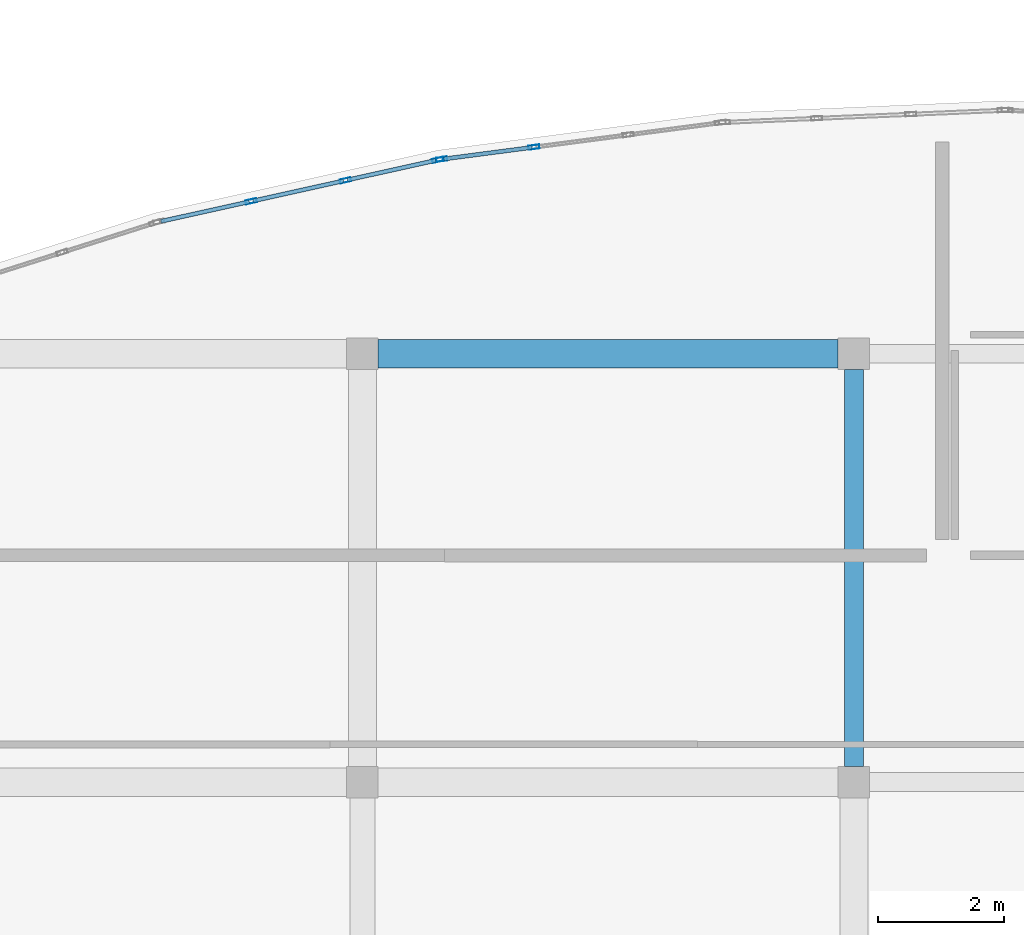
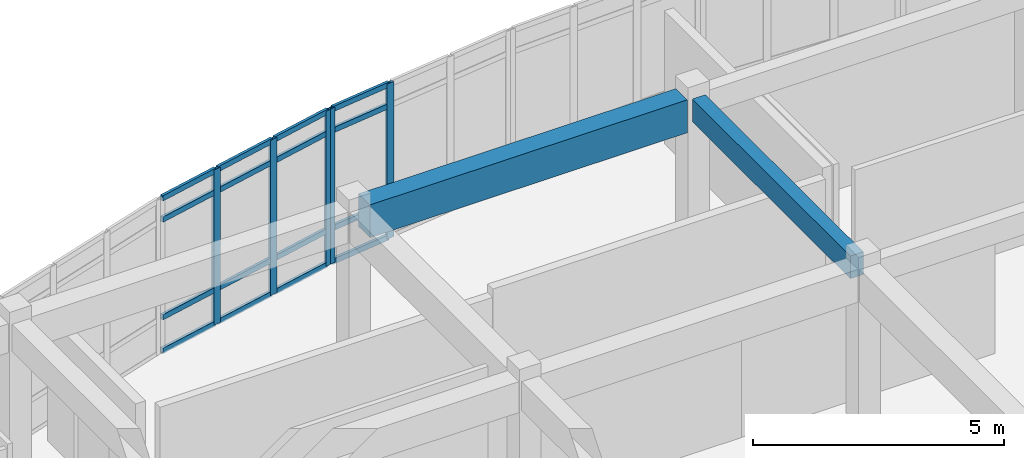
# One storey, part 23 of 52: 21 members, 2 beams, 2 elements without a shape of their own.
"""IFC4 building model written with IfcOpenShell, lengths in metres."""

import ifcopenshell
import ifcopenshell.guid

model = None  # the IFC model being written
_history = None  # IfcOwnerHistory: only IFC2X3 demands one
_inside = {}  # id of a spatial element -> (the spatial element, [elements in it])
_under = {}  # id of a project, library or spatial element -> (it, [spatial elements below it])
_declared = {}  # id of a project -> (the project, [libraries it declares])
_typed = {}  # id of a type object -> (the type object, [elements of that type])
_made_of = {}  # id of a material, layer set ... -> (it, [elements and type objects made of it])


def new_model(schema):
    """Start an empty IFC model of exactly this schema.

    Asked for "IFC4X3", IfcOpenShell would pick the latest addendum, in which some entities
    have other attributes; the version numbers below select the first issue.
    IFC2X3 requires an IfcOwnerHistory on every rooted entity: one is made here for all.
    """
    global model, _history
    if schema == "IFC4X3":
        model = ifcopenshell.file(schema_version=(4, 3, 0, 0))
    else:
        model = ifcopenshell.file(schema=schema)
    _inside.clear()
    _under.clear()
    _declared.clear()
    _typed.clear()
    _made_of.clear()
    _history = None
    if model.schema == "IFC2X3":
        org = make("IfcOrganization", Name="unknown")
        user = make(
            "IfcPersonAndOrganization",
            ThePerson=make("IfcPerson", FamilyName="unknown"),
            TheOrganization=org,
        )
        app = make(
            "IfcApplication",
            ApplicationDeveloper=org,
            Version="unknown",
            ApplicationFullName="unknown",
            ApplicationIdentifier="unknown",
        )
        _history = make(
            "IfcOwnerHistory",
            OwningUser=user,
            OwningApplication=app,
            ChangeAction="ADDED",
            CreationDate=0,
        )
    return model


def make(cls, **values):
    """One entity of the class cls with the attributes given. An attribute that is None is left unset."""
    return model.create_entity(
        cls, **{name: value for name, value in values.items() if value is not None}
    )


def rooted(cls, **values):
    """An entity with a GlobalId (a new one), such as an element, a storey or a relation."""
    return make(cls, GlobalId=ifcopenshell.guid.new(), OwnerHistory=_history, **values)


def si_unit(unit_type, name, prefix=None):
    """IfcSIUnit, for example si_unit("LENGTHUNIT", "METRE", prefix="MILLI")."""
    return make("IfcSIUnit", UnitType=unit_type, Prefix=prefix, Name=name)


def assignment(units):
    """IfcUnitAssignment: the units of a project."""
    return None if units is None else make("IfcUnitAssignment", Units=units)


def point(xyz):
    """IfcCartesianPoint."""
    return None if xyz is None else make("IfcCartesianPoint", Coordinates=xyz)


def direction(xyz):
    """IfcDirection."""
    return None if xyz is None else make("IfcDirection", DirectionRatios=xyz)


def frame(location, z_axis=None, x_axis=None):
    """IfcAxis2Placement3D, a coordinate frame: its origin and axes. An axis left out is left unset."""
    return make(
        "IfcAxis2Placement3D",
        Location=point(location),
        Axis=direction(z_axis),
        RefDirection=direction(x_axis),
    )


def frame_2d(location, x_axis=None):
    """IfcAxis2Placement2D, a coordinate frame in the plane: its origin and x axis."""
    return make(
        "IfcAxis2Placement2D", Location=point(location), RefDirection=direction(x_axis)
    )


def origin():
    """The frame at (0, 0, 0) with its axes left unset."""
    return frame((0.0, 0.0, 0.0))


def origin_2d():
    """The frame at (0, 0) in the plane with its x axis left unset."""
    return frame_2d((0.0, 0.0))


def place(relative_to, where):
    """IfcLocalPlacement: puts the frame where relative to a parent placement (None: the world)."""
    return make(
        "IfcLocalPlacement", PlacementRelTo=relative_to, RelativePlacement=where
    )


def context(
    kind, dimensions, precision=None, world=None, true_north=None, identifier=None
):
    """IfcGeometricRepresentationContext, for example the 3D "Model" context."""
    return make(
        "IfcGeometricRepresentationContext",
        ContextIdentifier=identifier,
        ContextType=kind,
        CoordinateSpaceDimension=dimensions,
        Precision=precision,
        WorldCoordinateSystem=world,
        TrueNorth=true_north,
    )


def subcontext(parent, identifier, kind, view, scale=None):
    """IfcGeometricRepresentationSubContext, for example "Body" below "Model"."""
    return make(
        "IfcGeometricRepresentationSubContext",
        ContextIdentifier=identifier,
        ContextType=kind,
        ParentContext=parent,
        TargetScale=scale,
        TargetView=view,
    )


def project(units=None, contexts=None):
    """IfcProject with its units and contexts."""
    return rooted(
        "IfcProject",
        Name="project",
        RepresentationContexts=contexts,
        UnitsInContext=assignment(units),
    )


def spatial(cls, under=None, at=None, **own):
    """A site, building, storey or space (cls), placed at a placement, below another one or the project."""
    s = rooted(cls, ObjectPlacement=at, **own)
    if under is not None:
        _under.setdefault(under.id(), (under, []))[1].append(s)
    return s


def profile(cls, at=None, kind="AREA", **sizes):
    """A parametric profile (cls). Its sizes go by their IFC names, for example OverallWidth=200.0."""
    return make(cls, ProfileType=kind, Position=at, **sizes)


def rectangle(**sizes):
    """IfcRectangleProfileDef."""
    return profile("IfcRectangleProfileDef", **sizes)


def hollow_rectangle(**sizes):
    """IfcRectangleHollowProfileDef."""
    return profile("IfcRectangleHollowProfileDef", **sizes)


def extrude(swept, where, along, depth):
    """IfcExtrudedAreaSolid: the profile swept, set in the frame where, extruded along a direction by depth."""
    return make(
        "IfcExtrudedAreaSolid",
        SweptArea=swept,
        Position=where,
        ExtrudedDirection=direction(along),
        Depth=depth,
    )


def shape(context_of_items, identifier, shape_type, items):
    """IfcShapeRepresentation: the items that make up one representation, for example the "Body"."""
    return make(
        "IfcShapeRepresentation",
        ContextOfItems=context_of_items,
        RepresentationIdentifier=identifier,
        RepresentationType=shape_type,
        Items=items,
    )


def material(Name=None, Category=None):
    """IfcMaterial."""
    return make("IfcMaterial", Name=Name, Category=Category)


def layer(
    of_material, thickness, ventilated=None, Name=None, Category=None, Priority=None
):
    """IfcMaterialLayer: one layer of a wall or slab, of a material (None: an air gap)."""
    return make(
        "IfcMaterialLayer",
        Material=of_material,
        LayerThickness=thickness,
        IsVentilated=ventilated,
        Name=Name,
        Category=Category,
        Priority=Priority,
    )


def layer_set(layers, Name=None):
    """IfcMaterialLayerSet."""
    return make("IfcMaterialLayerSet", MaterialLayers=layers, LayerSetName=Name)


def material_profile(
    of_material, cross_section, Name=None, Category=None, Priority=None
):
    """IfcMaterialProfile: a cross section and its material."""
    return make(
        "IfcMaterialProfile",
        Name=Name,
        Material=of_material,
        Profile=cross_section,
        Priority=Priority,
        Category=Category,
    )


def profile_set(profiles, Name=None, composite=None):
    """IfcMaterialProfileSet."""
    return make(
        "IfcMaterialProfileSet",
        Name=Name,
        MaterialProfiles=profiles,
        CompositeProfile=composite,
    )


def made_of(thing, what):
    """Note that an element or type object is made of a material, layer set ...; save() writes the relation."""
    if what is not None:
        _made_of.setdefault(what.id(), (what, []))[1].append(thing)
    return thing


def type_object(cls, material=None, **own):
    """A type object (cls), such as IfcWallType, which elements share."""
    return made_of(rooted(cls, **own), material)


def element(
    cls,
    number,
    at=None,
    inside=None,
    cuts=None,
    type_object=None,
    material=None,
    context=None,
    identifier="Body",
    shape_type=None,
    held_by="IfcProductDefinitionShape",
    body=None,
    shapes=None,
    **own,
):
    """One element of the class cls, such as IfcWall. Its Tag is "e" and its number.

    at: its placement. inside: the storey or other place that contains it. cuts: it is an
    opening in that element (IfcRelVoidsElement). A single representation is given by context,
    identifier, shape_type and body (its items); several are given by shapes. held_by: the class
    of the entity that holds the representations. save() writes the other relations.
    """
    e = rooted(cls, Tag="e%d" % number, ObjectPlacement=at, **own)
    if body is not None:
        shapes = [shape(context, identifier, shape_type, body)]
    if shapes is not None:
        e.Representation = make(held_by, Representations=shapes)
    if inside is not None:
        _inside.setdefault(inside.id(), (inside, []))[1].append(e)
    if cuts is not None:
        rooted(
            "IfcRelVoidsElement", RelatingBuildingElement=cuts, RelatedOpeningElement=e
        )
    if type_object is not None:
        _typed.setdefault(type_object.id(), (type_object, []))[1].append(e)
    return made_of(e, material)


def aggregate(whole, parts):
    """IfcRelAggregates: a whole, such as a stair, and the parts it consists of."""
    return rooted("IfcRelAggregates", RelatingObject=whole, RelatedObjects=parts)


def save(model, path):
    """Write the relations noted so far, then the file.

    IfcRelAggregates (storeys below a building ...), IfcRelContainedInSpatialStructure (elements
    in a storey), IfcRelDefinesByType, IfcRelAssociatesMaterial and IfcRelDeclares: one each for
    every whole, place, type object, material and project.
    """
    for whole, parts in _under.values():
        aggregate(whole, parts)
    for where, things in _inside.values():
        rooted(
            "IfcRelContainedInSpatialStructure",
            RelatedElements=things,
            RelatingStructure=where,
        )
    for kind, things in _typed.values():
        rooted("IfcRelDefinesByType", RelatedObjects=things, RelatingType=kind)
    for what, things in _made_of.values():
        rooted("IfcRelAssociatesMaterial", RelatedObjects=things, RelatingMaterial=what)
    for by, libraries in _declared.values():
        rooted("IfcRelDeclares", RelatingContext=by, RelatedDefinitions=libraries)
    model.write(path)


model = new_model("IFC4")

# Units and contexts
model_context = context("Model", 3, precision=1e-05, world=origin(), true_north=direction((0.0, 1.0)))
body_context = subcontext(model_context, "Body", "Model", "MODEL_VIEW")
ifc_project = project(units=[si_unit("LENGTHUNIT", "METRE"), si_unit("AREAUNIT", "SQUARE_METRE"), si_unit("VOLUMEUNIT", "CUBIC_METRE"), si_unit("PLANEANGLEUNIT", "RADIAN"), si_unit("MASSUNIT", "GRAM", prefix="KILO")], contexts=[model_context])

# Site, building, storey
site_placement = place(None, origin())
site = spatial("IfcSite", under=ifc_project, at=site_placement, CompositionType="ELEMENT")
building_placement = place(site_placement, origin())
building = spatial("IfcBuilding", under=site, at=building_placement, Name="Valcora Specialist Clinic", CompositionType="ELEMENT")
storey_placement = place(building_placement, frame((0.0, 0.0, 17.679931640625)))
storey = spatial("IfcBuildingStorey", under=building, at=storey_placement, Name="L04", CompositionType="ELEMENT", Elevation=17.679931640625)

# Beams
ifc_material_1 = material(Name="Concrete C40/50", Category="concrete")
ifc_material_profile_1 = material_profile(ifc_material_1, rectangle(XDim=0.300048828125, YDim=0.550048828125, at=origin_2d()), Name="RC-BM-300X550")
ifc_profile_set_1 = profile_set([ifc_material_profile_1], Name="Concrete C40/50")
beam_type_1 = type_object("IfcBeamType", Name="TY-BM-RC300X550", PredefinedType="BEAM", material=ifc_profile_set_1)
beam_1_placement = place(storey_placement, frame((84.60009765625, 15.449951171875, 3.5), z_axis=(0.0, 1.0, 0.0), x_axis=(-1.0, 0.0, 0.0)))
element("IfcBeam", 1, at=beam_1_placement, inside=storey, type_object=beam_type_1, Name="Beam BM-L04-1493", PredefinedType="BEAM", context=body_context, shape_type="SweptSolid", body=[
    extrude(rectangle(XDim=0.300048828125, YDim=0.550048828125, at=origin_2d()), origin(), (0.0, 0.0, 1.0), 6.300048828125),
])
ifc_material_profile_2 = material_profile(ifc_material_1, rectangle(XDim=0.449951171875, YDim=0.800048828125, at=origin_2d()), Name="RC-BM-450X800")
ifc_profile_set_2 = profile_set([ifc_material_profile_2], Name="Concrete C40/50")
beam_type_2 = type_object("IfcBeamType", Name="TY-BM-RC450X800", PredefinedType="BEAM", material=ifc_profile_set_2)
beam_2_placement = place(storey_placement, frame((77.050048828125, 22.0, 3.375), z_axis=(1.0, 0.0, 0.0), x_axis=(0.0, 1.0, 0.0)))
element("IfcBeam", 2, at=beam_2_placement, inside=storey, type_object=beam_type_2, Name="Beam BM-L04-1482", PredefinedType="BEAM", context=body_context, shape_type="SweptSolid", body=[
    extrude(rectangle(XDim=0.449951171875, YDim=0.800048828125, at=origin_2d()), origin(), (0.0, 0.0, 1.0), 7.300048828125),
])

# Curtain wall, members
ifc_material_2 = material(Name="Anodized Bronze Aluminium 6063-T6", Category="aluminium")
ifc_layer = layer(ifc_material_2, 0.175048828125)
ifc_layer_set = layer_set([ifc_layer], Name="Anodized Bronze Aluminium 6063-T6")
curtain_wall_type = type_object("IfcCurtainWallType", Name="TY-CW-ARC40", PredefinedType="NOTDEFINED", material=ifc_layer_set)
curtain_wall_1_placement = place(storey_placement, origin())
curtain_wall_1 = element("IfcCurtainWall", 3, at=curtain_wall_1_placement, inside=storey, type_object=curtain_wall_type, Name="Curtain wall CW-L04-219", PredefinedType="NOTDEFINED")
ifc_material_profile_3 = material_profile(ifc_material_2, hollow_rectangle(XDim=0.06494140625, YDim=0.175048828125, WallThickness=0.00390625, at=origin_2d()), Name="AL-MUL-65X175")
ifc_profile_set_3 = profile_set([ifc_material_profile_3], Name="Anodized Bronze Aluminium 6063-T6")
member_type_1 = type_object("IfcMemberType", Name="TY-CWM-65X175", PredefinedType="MULLION", material=ifc_profile_set_3)
member_1_placement = place(storey_placement, frame((75.03466796875, 24.418701171875, 0.0), z_axis=(0.0, 0.0, 1.0), x_axis=(-0.216518052372, 0.976278614432, 0.0)))
member_1 = element("IfcMember", 4, at=member_1_placement, type_object=member_type_1, Name="CW-ARC-40 mullion 2", PredefinedType="MULLION", context=body_context, shape_type="SweptSolid", body=[
    extrude(hollow_rectangle(XDim=0.06494140625, YDim=0.175048828125, WallThickness=0.00390625, at=origin_2d()), origin(), (0.0, 0.0, 1.0), 3.775146484375),
])
member_2_placement = place(storey_placement, frame((76.5302734375, 24.75048828125, 0.0), z_axis=(0.0, 0.0, 1.0), x_axis=(-0.216518052372, 0.976278614432, 0.0)))
member_2 = element("IfcMember", 5, at=member_2_placement, type_object=member_type_1, Name="CW-ARC-40 mullion 3", PredefinedType="MULLION", context=body_context, shape_type="SweptSolid", body=[
    extrude(hollow_rectangle(XDim=0.06494140625, YDim=0.175048828125, WallThickness=0.00390625, at=origin_2d()), origin(), (0.0, 0.0, 1.0), 3.775146484375),
])
member_3_placement = place(storey_placement, frame((77.994384765625, 25.074951171875, 0.0), z_axis=(0.0, 0.0, 1.0), x_axis=(-0.216518052372, 0.976278614432, 0.0)))
member_3 = element("IfcMember", 6, at=member_3_placement, type_object=member_type_1, Name="CW-ARC-40 mullion 4", PredefinedType="MULLION", context=body_context, shape_type="SweptSolid", body=[
    extrude(hollow_rectangle(XDim=0.06494140625, YDim=0.175048828125, WallThickness=0.00390625, at=origin_2d()), origin(), (0.0, 0.0, 1.0), 3.775146484375),
])

curtain_wall_2_placement = place(storey_placement, origin())
curtain_wall_2 = element("IfcCurtainWall", 7, at=curtain_wall_2_placement, inside=storey, type_object=curtain_wall_type, Name="Curtain wall CW-L04-220", PredefinedType="NOTDEFINED")
member_4_placement = place(storey_placement, frame((78.05810546875, 25.08642578125, 0.0), z_axis=(0.0, 0.0, 1.0), x_axis=(-0.129999492259, 0.991514060421, 0.0)))
member_4 = element("IfcMember", 8, at=member_4_placement, type_object=member_type_1, Name="CW-ARC-40 mullion 1", PredefinedType="MULLION", context=body_context, shape_type="SweptSolid", body=[
    extrude(hollow_rectangle(XDim=0.06494140625, YDim=0.175048828125, WallThickness=0.00390625, at=origin_2d()), origin(), (0.0, 0.0, 1.0), 3.775146484375),
])
member_5_placement = place(storey_placement, frame((79.521728515625, 25.2783203125, 0.0), z_axis=(0.0, 0.0, 1.0), x_axis=(-0.129999492259, 0.991514060421, 0.0)))
member_5 = element("IfcMember", 9, at=member_5_placement, type_object=member_type_1, Name="CW-ARC-40 mullion 2", PredefinedType="MULLION", context=body_context, shape_type="SweptSolid", body=[
    extrude(hollow_rectangle(XDim=0.06494140625, YDim=0.175048828125, WallThickness=0.00390625, at=origin_2d()), origin(), (0.0, 0.0, 1.0), 3.775146484375),
])

# Member
ifc_material_profile_4 = material_profile(ifc_material_2, hollow_rectangle(XDim=0.06494140625, YDim=0.1298828125, WallThickness=0.00390625, at=origin_2d()), Name="AL-TRN-65X130")
ifc_profile_set_4 = profile_set([ifc_material_profile_4], Name="Anodized Bronze Aluminium 6063-T6")
member_type_2 = type_object("IfcMemberType", Name="TY-CWT-65X130", PredefinedType="USERDEFINED", material=ifc_profile_set_4)
member_6_placement = place(storey_placement, frame((73.6025390625, 24.10107421875, 0.032470703125), z_axis=(0.976283078872, 0.216497921256, 0.0), x_axis=(-0.216497921256, 0.976283078872, 0.0)))
member_6 = element("IfcMember", 10, at=member_6_placement, type_object=member_type_2, Name="CW-ARC-40 transom 1.1", ObjectType="TRANSOM", PredefinedType="USERDEFINED", context=body_context, shape_type="SweptSolid", body=[
    extrude(hollow_rectangle(XDim=0.06494140625, YDim=0.1298828125, WallThickness=0.00390625, at=origin_2d()), origin(), (0.0, 0.0, 1.0), 1.434326171875),
])

member_7_placement = place(storey_placement, frame((73.6025390625, 24.10107421875, 0.85009765625), z_axis=(0.976283078872, 0.216497921256, 0.0), x_axis=(-0.216497921256, 0.976283078872, 0.0)))
member_7 = element("IfcMember", 11, at=member_7_placement, type_object=member_type_2, Name="CW-ARC-40 transom 1.2", ObjectType="TRANSOM", PredefinedType="USERDEFINED", context=body_context, shape_type="SweptSolid", body=[
    extrude(hollow_rectangle(XDim=0.06494140625, YDim=0.1298828125, WallThickness=0.00390625, at=origin_2d()), origin(), (0.0, 0.0, 1.0), 1.434326171875),
])

member_8_placement = place(storey_placement, frame((73.6025390625, 24.10107421875, 3.22509765625), z_axis=(0.976283078872, 0.216497921256, 0.0), x_axis=(-0.216497921256, 0.976283078872, 0.0)))
member_8 = element("IfcMember", 12, at=member_8_placement, type_object=member_type_2, Name="CW-ARC-40 transom 1.3", ObjectType="TRANSOM", PredefinedType="USERDEFINED", context=body_context, shape_type="SweptSolid", body=[
    extrude(hollow_rectangle(XDim=0.06494140625, YDim=0.1298828125, WallThickness=0.00390625, at=origin_2d()), origin(), (0.0, 0.0, 1.0), 1.434326171875),
])

member_9_placement = place(storey_placement, frame((73.6025390625, 24.10107421875, 3.74267578125), z_axis=(0.976283078872, 0.216497921256, 0.0), x_axis=(-0.216497921256, 0.976283078872, 0.0)))
member_9 = element("IfcMember", 13, at=member_9_placement, type_object=member_type_2, Name="CW-ARC-40 transom 1.4", ObjectType="TRANSOM", PredefinedType="USERDEFINED", context=body_context, shape_type="SweptSolid", body=[
    extrude(hollow_rectangle(XDim=0.06494140625, YDim=0.1298828125, WallThickness=0.00390625, at=origin_2d()), origin(), (0.0, 0.0, 1.0), 1.434326171875),
])

member_10_placement = place(storey_placement, frame((75.06640625, 24.42578125, 0.032470703125), z_axis=(0.976277043921, 0.216525133676, 0.0), x_axis=(-0.216525133676, 0.976277043921, 0.0)))
member_10 = element("IfcMember", 14, at=member_10_placement, type_object=member_type_2, Name="CW-ARC-40 transom 2.1", ObjectType="TRANSOM", PredefinedType="USERDEFINED", context=body_context, shape_type="SweptSolid", body=[
    extrude(hollow_rectangle(XDim=0.06494140625, YDim=0.1298828125, WallThickness=0.00390625, at=origin_2d()), origin(), (0.0, 0.0, 1.0), 1.467041015625),
])

member_11_placement = place(storey_placement, frame((75.06640625, 24.42578125, 0.85009765625), z_axis=(0.976277043921, 0.216525133676, 0.0), x_axis=(-0.216525133676, 0.976277043921, 0.0)))
member_11 = element("IfcMember", 15, at=member_11_placement, type_object=member_type_2, Name="CW-ARC-40 transom 2.2", ObjectType="TRANSOM", PredefinedType="USERDEFINED", context=body_context, shape_type="SweptSolid", body=[
    extrude(hollow_rectangle(XDim=0.06494140625, YDim=0.1298828125, WallThickness=0.00390625, at=origin_2d()), origin(), (0.0, 0.0, 1.0), 1.467041015625),
])

member_12_placement = place(storey_placement, frame((75.06640625, 24.42578125, 3.22509765625), z_axis=(0.976277043921, 0.216525133676, 0.0), x_axis=(-0.216525133676, 0.976277043921, 0.0)))
member_12 = element("IfcMember", 16, at=member_12_placement, type_object=member_type_2, Name="CW-ARC-40 transom 2.3", ObjectType="TRANSOM", PredefinedType="USERDEFINED", context=body_context, shape_type="SweptSolid", body=[
    extrude(hollow_rectangle(XDim=0.06494140625, YDim=0.1298828125, WallThickness=0.00390625, at=origin_2d()), origin(), (0.0, 0.0, 1.0), 1.467041015625),
])

member_13_placement = place(storey_placement, frame((75.06640625, 24.42578125, 3.74267578125), z_axis=(0.976277043921, 0.216525133676, 0.0), x_axis=(-0.216525133676, 0.976277043921, 0.0)))
member_13 = element("IfcMember", 17, at=member_13_placement, type_object=member_type_2, Name="CW-ARC-40 transom 2.4", ObjectType="TRANSOM", PredefinedType="USERDEFINED", context=body_context, shape_type="SweptSolid", body=[
    extrude(hollow_rectangle(XDim=0.06494140625, YDim=0.1298828125, WallThickness=0.00390625, at=origin_2d()), origin(), (0.0, 0.0, 1.0), 1.467041015625),
])

member_14_placement = place(storey_placement, frame((76.56201171875, 24.75732421875, 0.032470703125), z_axis=(0.976255079417, 0.216624144343, 0.0), x_axis=(-0.216624144343, 0.976255079417, 0.0)))
member_14 = element("IfcMember", 18, at=member_14_placement, type_object=member_type_2, Name="CW-ARC-40 transom 3.1", ObjectType="TRANSOM", PredefinedType="USERDEFINED", context=body_context, shape_type="SweptSolid", body=[
    extrude(hollow_rectangle(XDim=0.06494140625, YDim=0.1298828125, WallThickness=0.00390625, at=origin_2d()), origin(), (0.0, 0.0, 1.0), 1.434814453125),
])

member_15_placement = place(storey_placement, frame((76.56201171875, 24.75732421875, 0.85009765625), z_axis=(0.976255079417, 0.216624144343, 0.0), x_axis=(-0.216624144343, 0.976255079417, 0.0)))
member_15 = element("IfcMember", 19, at=member_15_placement, type_object=member_type_2, Name="CW-ARC-40 transom 3.2", ObjectType="TRANSOM", PredefinedType="USERDEFINED", context=body_context, shape_type="SweptSolid", body=[
    extrude(hollow_rectangle(XDim=0.06494140625, YDim=0.1298828125, WallThickness=0.00390625, at=origin_2d()), origin(), (0.0, 0.0, 1.0), 1.434814453125),
])

member_16_placement = place(storey_placement, frame((76.56201171875, 24.75732421875, 3.22509765625), z_axis=(0.976255079417, 0.216624144343, 0.0), x_axis=(-0.216624144343, 0.976255079417, 0.0)))
member_16 = element("IfcMember", 20, at=member_16_placement, type_object=member_type_2, Name="CW-ARC-40 transom 3.3", ObjectType="TRANSOM", PredefinedType="USERDEFINED", context=body_context, shape_type="SweptSolid", body=[
    extrude(hollow_rectangle(XDim=0.06494140625, YDim=0.1298828125, WallThickness=0.00390625, at=origin_2d()), origin(), (0.0, 0.0, 1.0), 1.434814453125),
])

member_17_placement = place(storey_placement, frame((76.56201171875, 24.75732421875, 3.74267578125), z_axis=(0.976255079417, 0.216624144343, 0.0), x_axis=(-0.216624144343, 0.976255079417, 0.0)))
member_17 = element("IfcMember", 21, at=member_17_placement, type_object=member_type_2, Name="CW-ARC-40 transom 3.4", ObjectType="TRANSOM", PredefinedType="USERDEFINED", context=body_context, shape_type="SweptSolid", body=[
    extrude(hollow_rectangle(XDim=0.06494140625, YDim=0.1298828125, WallThickness=0.00390625, at=origin_2d()), origin(), (0.0, 0.0, 1.0), 1.434814453125),
])

aggregate(curtain_wall_1, [member_1, member_2, member_3, member_6, member_7, member_8, member_9, member_10, member_11, member_12, member_13, member_14, member_15, member_16, member_17])

member_18_placement = place(storey_placement, frame((78.09033203125, 25.090576171875, 0.032470703125), z_axis=(0.991523055248, 0.129930869742, 0.0), x_axis=(-0.129930869742, 0.991523055248, 0.0)))
member_18 = element("IfcMember", 22, at=member_18_placement, type_object=member_type_2, Name="CW-ARC-40 transom 1.1", ObjectType="TRANSOM", PredefinedType="USERDEFINED", context=body_context, shape_type="SweptSolid", body=[
    extrude(hollow_rectangle(XDim=0.06494140625, YDim=0.1298828125, WallThickness=0.00390625, at=origin_2d()), origin(), (0.0, 0.0, 1.0), 1.4111328125),
])

member_19_placement = place(storey_placement, frame((78.09033203125, 25.090576171875, 0.85009765625), z_axis=(0.991523055248, 0.129930869742, 0.0), x_axis=(-0.129930869742, 0.991523055248, 0.0)))
member_19 = element("IfcMember", 23, at=member_19_placement, type_object=member_type_2, Name="CW-ARC-40 transom 1.2", ObjectType="TRANSOM", PredefinedType="USERDEFINED", context=body_context, shape_type="SweptSolid", body=[
    extrude(hollow_rectangle(XDim=0.06494140625, YDim=0.1298828125, WallThickness=0.00390625, at=origin_2d()), origin(), (0.0, 0.0, 1.0), 1.4111328125),
])

member_20_placement = place(storey_placement, frame((78.09033203125, 25.090576171875, 3.22509765625), z_axis=(0.991523055248, 0.129930869742, 0.0), x_axis=(-0.129930869742, 0.991523055248, 0.0)))
member_20 = element("IfcMember", 24, at=member_20_placement, type_object=member_type_2, Name="CW-ARC-40 transom 1.3", ObjectType="TRANSOM", PredefinedType="USERDEFINED", context=body_context, shape_type="SweptSolid", body=[
    extrude(hollow_rectangle(XDim=0.06494140625, YDim=0.1298828125, WallThickness=0.00390625, at=origin_2d()), origin(), (0.0, 0.0, 1.0), 1.4111328125),
])

member_21_placement = place(storey_placement, frame((78.09033203125, 25.090576171875, 3.74267578125), z_axis=(0.991523055248, 0.129930869742, 0.0), x_axis=(-0.129930869742, 0.991523055248, 0.0)))
member_21 = element("IfcMember", 25, at=member_21_placement, type_object=member_type_2, Name="CW-ARC-40 transom 1.4", ObjectType="TRANSOM", PredefinedType="USERDEFINED", context=body_context, shape_type="SweptSolid", body=[
    extrude(hollow_rectangle(XDim=0.06494140625, YDim=0.1298828125, WallThickness=0.00390625, at=origin_2d()), origin(), (0.0, 0.0, 1.0), 1.4111328125),
])

aggregate(curtain_wall_2, [member_4, member_5, member_18, member_19, member_20, member_21])

save(model, "model.ifc")
